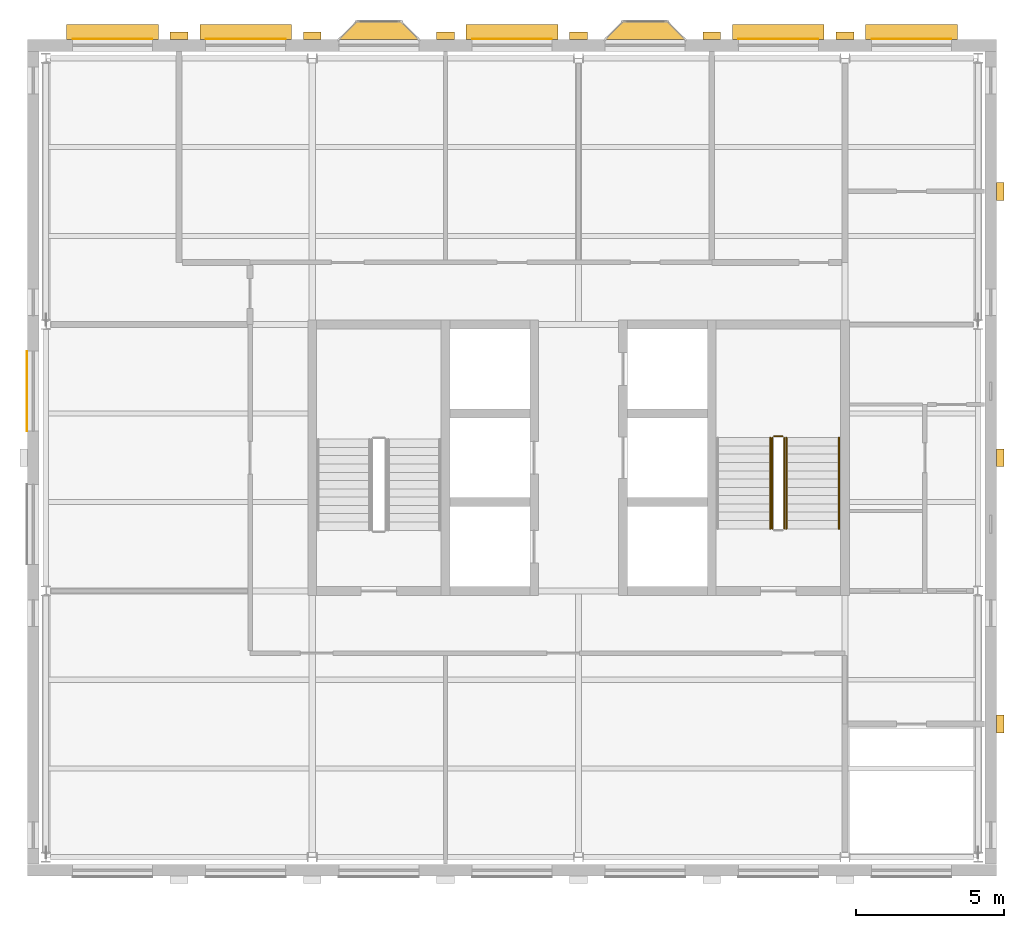
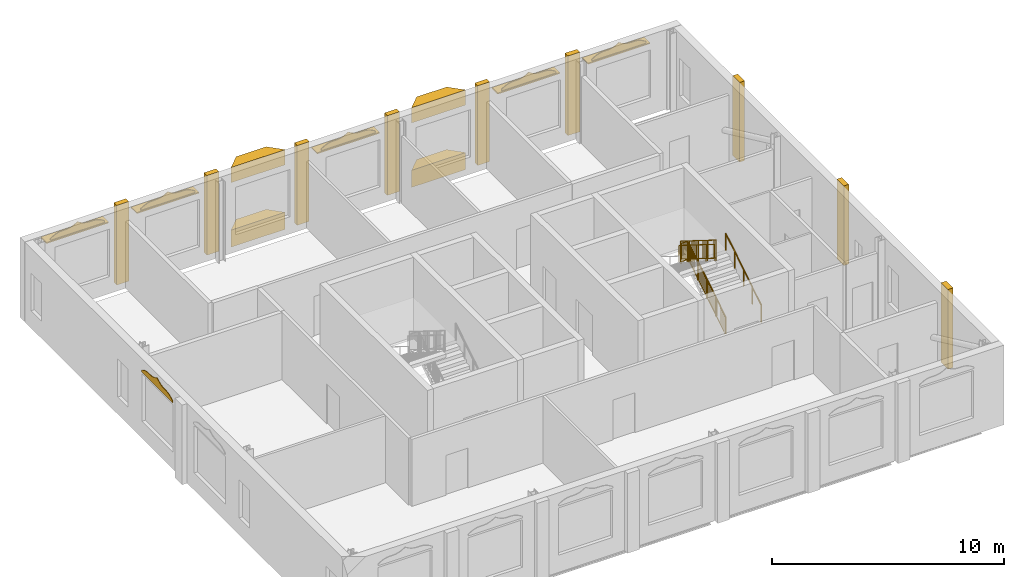
# One storey, part 9 of 9: 19 coverings, 6 railings, 5 shading devices.
"""IFC4 building model written with IfcOpenShell, lengths in metres."""

import ifcopenshell
import ifcopenshell.guid

model = None  # the IFC model being written
_history = None  # IfcOwnerHistory: only IFC2X3 demands one
_inside = {}  # id of a spatial element -> (the spatial element, [elements in it])
_under = {}  # id of a project, library or spatial element -> (it, [spatial elements below it])
_declared = {}  # id of a project -> (the project, [libraries it declares])
_typed = {}  # id of a type object -> (the type object, [elements of that type])
_made_of = {}  # id of a material, layer set ... -> (it, [elements and type objects made of it])


def new_model(schema):
    """Start an empty IFC model of exactly this schema.

    Asked for "IFC4X3", IfcOpenShell would pick the latest addendum, in which some entities
    have other attributes; the version numbers below select the first issue.
    IFC2X3 requires an IfcOwnerHistory on every rooted entity: one is made here for all.
    """
    global model, _history
    if schema == "IFC4X3":
        model = ifcopenshell.file(schema_version=(4, 3, 0, 0))
    else:
        model = ifcopenshell.file(schema=schema)
    _inside.clear()
    _under.clear()
    _declared.clear()
    _typed.clear()
    _made_of.clear()
    _history = None
    if model.schema == "IFC2X3":
        org = make("IfcOrganization", Name="unknown")
        user = make(
            "IfcPersonAndOrganization",
            ThePerson=make("IfcPerson", FamilyName="unknown"),
            TheOrganization=org,
        )
        app = make(
            "IfcApplication",
            ApplicationDeveloper=org,
            Version="unknown",
            ApplicationFullName="unknown",
            ApplicationIdentifier="unknown",
        )
        _history = make(
            "IfcOwnerHistory",
            OwningUser=user,
            OwningApplication=app,
            ChangeAction="ADDED",
            CreationDate=0,
        )
    return model


def make(cls, **values):
    """One entity of the class cls with the attributes given. An attribute that is None is left unset."""
    return model.create_entity(
        cls, **{name: value for name, value in values.items() if value is not None}
    )


def rooted(cls, **values):
    """An entity with a GlobalId (a new one), such as an element, a storey or a relation."""
    return make(cls, GlobalId=ifcopenshell.guid.new(), OwnerHistory=_history, **values)


def si_unit(unit_type, name, prefix=None):
    """IfcSIUnit, for example si_unit("LENGTHUNIT", "METRE", prefix="MILLI")."""
    return make("IfcSIUnit", UnitType=unit_type, Prefix=prefix, Name=name)


def assignment(units):
    """IfcUnitAssignment: the units of a project."""
    return None if units is None else make("IfcUnitAssignment", Units=units)


def point(xyz):
    """IfcCartesianPoint."""
    return None if xyz is None else make("IfcCartesianPoint", Coordinates=xyz)


def direction(xyz):
    """IfcDirection."""
    return None if xyz is None else make("IfcDirection", DirectionRatios=xyz)


def frame(location, z_axis=None, x_axis=None):
    """IfcAxis2Placement3D, a coordinate frame: its origin and axes. An axis left out is left unset."""
    return make(
        "IfcAxis2Placement3D",
        Location=point(location),
        Axis=direction(z_axis),
        RefDirection=direction(x_axis),
    )


def frame_2d(location, x_axis=None):
    """IfcAxis2Placement2D, a coordinate frame in the plane: its origin and x axis."""
    return make(
        "IfcAxis2Placement2D", Location=point(location), RefDirection=direction(x_axis)
    )


def origin():
    """The frame at (0, 0, 0) with its axes left unset."""
    return frame((0.0, 0.0, 0.0))


def origin_2d():
    """The frame at (0, 0) in the plane with its x axis left unset."""
    return frame_2d((0.0, 0.0))


def place(relative_to, where):
    """IfcLocalPlacement: puts the frame where relative to a parent placement (None: the world)."""
    return make(
        "IfcLocalPlacement", PlacementRelTo=relative_to, RelativePlacement=where
    )


def context(
    kind, dimensions, precision=None, world=None, true_north=None, identifier=None
):
    """IfcGeometricRepresentationContext, for example the 3D "Model" context."""
    return make(
        "IfcGeometricRepresentationContext",
        ContextIdentifier=identifier,
        ContextType=kind,
        CoordinateSpaceDimension=dimensions,
        Precision=precision,
        WorldCoordinateSystem=world,
        TrueNorth=true_north,
    )


def subcontext(parent, identifier, kind, view, scale=None):
    """IfcGeometricRepresentationSubContext, for example "Body" below "Model"."""
    return make(
        "IfcGeometricRepresentationSubContext",
        ContextIdentifier=identifier,
        ContextType=kind,
        ParentContext=parent,
        TargetScale=scale,
        TargetView=view,
    )


def project(units=None, contexts=None):
    """IfcProject with its units and contexts."""
    return rooted(
        "IfcProject",
        Name="project",
        RepresentationContexts=contexts,
        UnitsInContext=assignment(units),
    )


def spatial(cls, under=None, at=None, **own):
    """A site, building, storey or space (cls), placed at a placement, below another one or the project."""
    s = rooted(cls, ObjectPlacement=at, **own)
    if under is not None:
        _under.setdefault(under.id(), (under, []))[1].append(s)
    return s


def polyline(points):
    """IfcPolyline through the points."""
    return make("IfcPolyline", Points=[point(p) for p in points])


def profile(cls, at=None, kind="AREA", **sizes):
    """A parametric profile (cls). Its sizes go by their IFC names, for example OverallWidth=200.0."""
    return make(cls, ProfileType=kind, Position=at, **sizes)


def rectangle(**sizes):
    """IfcRectangleProfileDef."""
    return profile("IfcRectangleProfileDef", **sizes)


def circle(**sizes):
    """IfcCircleProfileDef."""
    return profile("IfcCircleProfileDef", **sizes)


def outline(outer, holes=None, kind="AREA"):
    """IfcArbitraryClosedProfileDef: a profile drawn as a closed curve; with holes, ...WithVoids."""
    if holes is None:
        return make("IfcArbitraryClosedProfileDef", ProfileType=kind, OuterCurve=outer)
    return make(
        "IfcArbitraryProfileDefWithVoids",
        ProfileType=kind,
        OuterCurve=outer,
        InnerCurves=holes,
    )


def extrude(swept, where, along, depth):
    """IfcExtrudedAreaSolid: the profile swept, set in the frame where, extruded along a direction by depth."""
    return make(
        "IfcExtrudedAreaSolid",
        SweptArea=swept,
        Position=where,
        ExtrudedDirection=direction(along),
        Depth=depth,
    )


def shape(context_of_items, identifier, shape_type, items):
    """IfcShapeRepresentation: the items that make up one representation, for example the "Body"."""
    return make(
        "IfcShapeRepresentation",
        ContextOfItems=context_of_items,
        RepresentationIdentifier=identifier,
        RepresentationType=shape_type,
        Items=items,
    )


def material(Name=None, Category=None):
    """IfcMaterial."""
    return make("IfcMaterial", Name=Name, Category=Category)


def layer(
    of_material, thickness, ventilated=None, Name=None, Category=None, Priority=None
):
    """IfcMaterialLayer: one layer of a wall or slab, of a material (None: an air gap)."""
    return make(
        "IfcMaterialLayer",
        Material=of_material,
        LayerThickness=thickness,
        IsVentilated=ventilated,
        Name=Name,
        Category=Category,
        Priority=Priority,
    )


def layer_set(layers, Name=None):
    """IfcMaterialLayerSet."""
    return make("IfcMaterialLayerSet", MaterialLayers=layers, LayerSetName=Name)


def made_of(thing, what):
    """Note that an element or type object is made of a material, layer set ...; save() writes the relation."""
    if what is not None:
        _made_of.setdefault(what.id(), (what, []))[1].append(thing)
    return thing


def type_object(cls, material=None, **own):
    """A type object (cls), such as IfcWallType, which elements share."""
    return made_of(rooted(cls, **own), material)


def element(
    cls,
    number,
    at=None,
    inside=None,
    cuts=None,
    type_object=None,
    material=None,
    context=None,
    identifier="Body",
    shape_type=None,
    held_by="IfcProductDefinitionShape",
    body=None,
    shapes=None,
    **own,
):
    """One element of the class cls, such as IfcWall. Its Tag is "e" and its number.

    at: its placement. inside: the storey or other place that contains it. cuts: it is an
    opening in that element (IfcRelVoidsElement). A single representation is given by context,
    identifier, shape_type and body (its items); several are given by shapes. held_by: the class
    of the entity that holds the representations. save() writes the other relations.
    """
    e = rooted(cls, Tag="e%d" % number, ObjectPlacement=at, **own)
    if body is not None:
        shapes = [shape(context, identifier, shape_type, body)]
    if shapes is not None:
        e.Representation = make(held_by, Representations=shapes)
    if inside is not None:
        _inside.setdefault(inside.id(), (inside, []))[1].append(e)
    if cuts is not None:
        rooted(
            "IfcRelVoidsElement", RelatingBuildingElement=cuts, RelatedOpeningElement=e
        )
    if type_object is not None:
        _typed.setdefault(type_object.id(), (type_object, []))[1].append(e)
    return made_of(e, material)


def aggregate(whole, parts):
    """IfcRelAggregates: a whole, such as a stair, and the parts it consists of."""
    return rooted("IfcRelAggregates", RelatingObject=whole, RelatedObjects=parts)


def save(model, path):
    """Write the relations noted so far, then the file.

    IfcRelAggregates (storeys below a building ...), IfcRelContainedInSpatialStructure (elements
    in a storey), IfcRelDefinesByType, IfcRelAssociatesMaterial and IfcRelDeclares: one each for
    every whole, place, type object, material and project.
    """
    for whole, parts in _under.values():
        aggregate(whole, parts)
    for where, things in _inside.values():
        rooted(
            "IfcRelContainedInSpatialStructure",
            RelatedElements=things,
            RelatingStructure=where,
        )
    for kind, things in _typed.values():
        rooted("IfcRelDefinesByType", RelatedObjects=things, RelatingType=kind)
    for what, things in _made_of.values():
        rooted("IfcRelAssociatesMaterial", RelatedObjects=things, RelatingMaterial=what)
    for by, libraries in _declared.values():
        rooted("IfcRelDeclares", RelatingContext=by, RelatedDefinitions=libraries)
    model.write(path)


model = new_model("IFC4")

# Units and contexts
model_context = context("Model", 3, precision=1e-05, world=origin(), true_north=direction((0.0, 1.0)))
body_context = subcontext(model_context, "Body", "Model", "MODEL_VIEW")
ifc_project = project(units=[si_unit("LENGTHUNIT", "METRE"), si_unit("AREAUNIT", "SQUARE_METRE"), si_unit("VOLUMEUNIT", "CUBIC_METRE"), si_unit("PLANEANGLEUNIT", "RADIAN"), si_unit("MASSUNIT", "GRAM", prefix="KILO")], contexts=[model_context])

# Site, building, storey
site_placement = place(None, origin())
site = spatial("IfcSite", under=ifc_project, at=site_placement, CompositionType="ELEMENT")
building_placement = place(site_placement, origin())
building = spatial("IfcBuilding", under=site, at=building_placement, Name="Hortulan Conservatory and Botanical Research Centre", CompositionType="ELEMENT")
storey_placement = place(building_placement, frame((0.0, 0.0, 36.0)))
storey = spatial("IfcBuildingStorey", under=building, at=storey_placement, Name="L08", CompositionType="ELEMENT", Elevation=36.0)

# Shading devices
ifc_material_1 = material(Name="Bronze-finished perforated aluminium", Category="aluminium")
ifc_layer_1 = layer(ifc_material_1, 0.06005859375)
ifc_layer_set_1 = layer_set([ifc_layer_1], Name="Catenary Hood 3100x500x60")
shading_device_type = type_object("IfcShadingDeviceType", Name="Catenary Hood 3100x500x60", PredefinedType="USERDEFINED", material=ifc_layer_set_1)
for number, where, z_axis, x_axis, name in (
    (1, (2.25, 27.885986328125, 3.409912109375), (0.0, 0.0, 1.0), (1.0, 0.0, 0.0), "Catenary hood"),
    (2, (6.75, 27.885986328125, 3.409912109375), (0.0, 0.0, 1.0), (1.0, 0.0, 0.0), "Catenary hood"),
    (3, (15.75, 27.885986328125, 3.409912109375), (0.0, 0.0, 1.0), (1.0, 0.0, 0.0), "Catenary hood"),
    (4, (24.75, 27.885986328125, 3.409912109375), (0.0, 0.0, 1.0), (1.0, 0.0, 0.0), "Catenary hood"),
    (5, (29.25, 27.885986328125, 3.409912109375), (0.0, 0.0, 1.0), (1.0, 0.0, 0.0), "Catenary hood"),
):
    element("IfcShadingDevice", number, at=place(storey_placement, frame(where, z_axis=z_axis, x_axis=x_axis)), inside=storey, type_object=shading_device_type, Name=name, ObjectType="Catenary hood", PredefinedType="USERDEFINED", context=body_context, shape_type="SweptSolid", body=[
        extrude(rectangle(XDim=3.10009765625, YDim=0.5, at=origin_2d()), origin(), (0.0, 0.0, 1.0), 0.06005859375),
    ])

# Coverings
ifc_material_2 = material(Name="Faience cladding, cream glaze (non-combustible)", Category="ceramic")
ifc_layer_2 = layer(ifc_material_2, 0.030029296875)
ifc_layer_set_2 = layer_set([ifc_layer_2], Name="Faience Ogee Head Panel Cream 2700x500")
covering_type_1 = type_object("IfcCoveringType", Name="Faience Ogee Head Panel Cream 2700x500", PredefinedType="CLADDING", material=ifc_layer_set_2)
for number, where, z_axis, x_axis, name in (
    (6, (0.89990234375, 27.65087890625, 3.52001953125), (0.0, 0.0, 1.0), (1.0, 0.0, 0.0), "Ogee head panel"),
    (7, (23.39990234375, 27.65087890625, 3.52001953125), (0.0, 0.0, 1.0), (1.0, 0.0, 0.0), "Ogee head panel"),
    (8, (27.89990234375, 27.65087890625, 3.52001953125), (0.0, 0.0, 1.0), (1.0, 0.0, 0.0), "Ogee head panel"),
):
    element("IfcCovering", number, at=place(storey_placement, frame(where, z_axis=z_axis, x_axis=x_axis)), inside=storey, type_object=covering_type_1, Name=name, PredefinedType="CLADDING", context=body_context, shape_type="SweptSolid", body=[
        extrude(outline(polyline([(0.0, 0.0), (2.699951171875, 0.0), (2.699951171875, 0.080078125), (2.58740234375, 0.148681640625), (2.47509765625, 0.208251953125), (2.362548828125, 0.252197265625), (2.25, 0.278076171875), (2.137451171875, 0.28857421875), (2.02490234375, 0.2900390625), (1.91259765625, 0.291259765625), (1.800048828125, 0.3017578125), (1.6875, 0.327880859375), (1.574951171875, 0.371826171875), (1.46240234375, 0.431396484375), (1.35009765625, 0.5), (1.237548828125, 0.431396484375), (1.125, 0.371826171875), (1.012451171875, 0.327880859375), (0.89990234375, 0.3017578125), (0.78759765625, 0.291259765625), (0.675048828125, 0.2900390625), (0.5625, 0.28857421875), (0.449951171875, 0.278076171875), (0.33740234375, 0.252197265625), (0.22509765625, 0.208251953125), (0.112548828125, 0.148681640625), (0.0, 0.080078125), (0.0, 0.0)])), frame((0.0, 0.01513671875, 0.0), z_axis=(0.0, -1.0, 0.0), x_axis=(1.0, 0.0, 0.0)), (0.0, 0.0, 1.0), 0.030029296875),
    ])
ifc_material_3 = material(Name="Faience cladding, waratah crimson glaze (non-combustible)", Category="ceramic")
ifc_layer_3 = layer(ifc_material_3, 0.030029296875)
ifc_layer_set_3 = layer_set([ifc_layer_3], Name="Faience Ogee Head Panel Crimson 2700x500")
covering_type_2 = type_object("IfcCoveringType", Name="Faience Ogee Head Panel Crimson 2700x500", PredefinedType="CLADDING", material=ifc_layer_set_3)
covering_1_placement = place(storey_placement, frame((5.39990234375, 27.65087890625, 3.52001953125), z_axis=(0.0, 0.0, 1.0), x_axis=(1.0, 0.0, 0.0)))
element("IfcCovering", 9, at=covering_1_placement, inside=storey, type_object=covering_type_2, Name="Ogee head panel", PredefinedType="CLADDING", context=body_context, shape_type="SweptSolid", body=[
    extrude(outline(polyline([(0.0, 0.0), (2.699951171875, 0.0), (2.699951171875, 0.080078125), (2.58740234375, 0.148681640625), (2.47509765625, 0.208251953125), (2.362548828125, 0.252197265625), (2.25, 0.278076171875), (2.137451171875, 0.28857421875), (2.02490234375, 0.2900390625), (1.91259765625, 0.291259765625), (1.800048828125, 0.3017578125), (1.6875, 0.327880859375), (1.574951171875, 0.371826171875), (1.46240234375, 0.431396484375), (1.35009765625, 0.5), (1.237548828125, 0.431396484375), (1.125, 0.371826171875), (1.012451171875, 0.327880859375), (0.89990234375, 0.3017578125), (0.78759765625, 0.291259765625), (0.675048828125, 0.2900390625), (0.5625, 0.28857421875), (0.449951171875, 0.278076171875), (0.33740234375, 0.252197265625), (0.22509765625, 0.208251953125), (0.112548828125, 0.148681640625), (0.0, 0.080078125), (0.0, 0.0)])), frame((0.0, 0.01513671875, 0.0), z_axis=(0.0, -1.0, 0.0), x_axis=(1.0, 0.0, 0.0)), (0.0, 0.0, 1.0), 0.030029296875),
])
ifc_material_4 = material(Name="Faience cladding, harbour teal glaze (non-combustible)", Category="ceramic")
ifc_layer_4 = layer(ifc_material_4, 0.030029296875)
ifc_layer_set_4 = layer_set([ifc_layer_4], Name="Faience Ogee Head Panel Teal 2700x500")
covering_type_3 = type_object("IfcCoveringType", Name="Faience Ogee Head Panel Teal 2700x500", PredefinedType="CLADDING", material=ifc_layer_set_4)
for number, where, z_axis, x_axis, name in (
    (10, (-0.639892578125, 14.39990234375, 3.52001953125), (0.0, 0.0, 1.0), (0.0, 1.0, 0.0), "Ogee head panel"),
    (11, (14.39990234375, 27.65087890625, 3.52001953125), (0.0, 0.0, 1.0), (1.0, 0.0, 0.0), "Ogee head panel"),
):
    element("IfcCovering", number, at=place(storey_placement, frame(where, z_axis=z_axis, x_axis=x_axis)), inside=storey, type_object=covering_type_3, Name=name, PredefinedType="CLADDING", context=body_context, shape_type="SweptSolid", body=[
        extrude(outline(polyline([(0.0, 0.0), (2.699951171875, 0.0), (2.699951171875, 0.080078125), (2.58740234375, 0.148681640625), (2.47509765625, 0.208251953125), (2.362548828125, 0.252197265625), (2.25, 0.278076171875), (2.137451171875, 0.28857421875), (2.02490234375, 0.2900390625), (1.91259765625, 0.291259765625), (1.800048828125, 0.3017578125), (1.6875, 0.327880859375), (1.574951171875, 0.371826171875), (1.46240234375, 0.431396484375), (1.35009765625, 0.5), (1.237548828125, 0.431396484375), (1.125, 0.371826171875), (1.012451171875, 0.327880859375), (0.89990234375, 0.3017578125), (0.78759765625, 0.291259765625), (0.675048828125, 0.2900390625), (0.5625, 0.28857421875), (0.449951171875, 0.278076171875), (0.33740234375, 0.252197265625), (0.22509765625, 0.208251953125), (0.112548828125, 0.148681640625), (0.0, 0.080078125), (0.0, 0.0)])), frame((0.0, 0.01513671875, 0.0), z_axis=(0.0, -1.0, 0.0), x_axis=(1.0, 0.0, 0.0)), (0.0, 0.0, 1.0), 0.030029296875),
    ])
ifc_material_5 = material(Name="Faience-faced brickwork masonry", Category="masonry")
covering_type_4 = type_object("IfcCoveringType", Name="Faience Oriel Base", PredefinedType="CLADDING", material=ifc_material_5)
covering_2_placement = place(storey_placement, origin())
element("IfcCovering", 12, at=covering_2_placement, inside=storey, type_object=covering_type_4, Name="Oriel base", PredefinedType="CLADDING", context=body_context, shape_type="SweptSolid", body=[
    extrude(outline(polyline([(9.89990234375, 27.635986328125), (10.5, 28.236083984375), (12.0, 28.236083984375), (12.60009765625, 27.635986328125), (9.89990234375, 27.635986328125)])), origin(), (0.0, 0.0, 1.0), 0.89990234375),
])
covering_3_placement = place(storey_placement, origin())
element("IfcCovering", 13, at=covering_3_placement, inside=storey, type_object=covering_type_4, Name="Oriel base", PredefinedType="CLADDING", context=body_context, shape_type="SweptSolid", body=[
    extrude(outline(polyline([(18.89990234375, 27.635986328125), (19.5, 28.236083984375), (21.0, 28.236083984375), (21.60009765625, 27.635986328125), (18.89990234375, 27.635986328125)])), origin(), (0.0, 0.0, 1.0), 0.89990234375),
])
covering_type_5 = type_object("IfcCoveringType", Name="Faience Oriel Frieze", PredefinedType="CLADDING", material=ifc_material_5)
covering_4_placement = place(storey_placement, frame((0.0, 0.0, 3.39990234375)))
element("IfcCovering", 14, at=covering_4_placement, inside=storey, type_object=covering_type_5, Name="Oriel frieze", PredefinedType="CLADDING", context=body_context, shape_type="SweptSolid", body=[
    extrude(outline(polyline([(9.89990234375, 27.635986328125), (10.5, 28.236083984375), (12.0, 28.236083984375), (12.60009765625, 27.635986328125), (9.89990234375, 27.635986328125)])), origin(), (0.0, 0.0, 1.0), 0.800048828125),
])
covering_5_placement = place(storey_placement, frame((0.0, 0.0, 3.39990234375)))
element("IfcCovering", 15, at=covering_5_placement, inside=storey, type_object=covering_type_5, Name="Oriel frieze", PredefinedType="CLADDING", context=body_context, shape_type="SweptSolid", body=[
    extrude(outline(polyline([(18.89990234375, 27.635986328125), (19.5, 28.236083984375), (21.0, 28.236083984375), (21.60009765625, 27.635986328125), (18.89990234375, 27.635986328125)])), origin(), (0.0, 0.0, 1.0), 0.800048828125),
])
ifc_layer_5 = layer(ifc_material_2, 0.25)
ifc_layer_set_5 = layer_set([ifc_layer_5], Name="Faience Pilaster 600x250")
covering_type_6 = type_object("IfcCoveringType", Name="Faience Pilaster 600x250", PredefinedType="CLADDING", material=ifc_layer_set_5)
for number, where, z_axis, x_axis, name in (
    (16, (4.5, 27.760986328125, 0.0), (0.0, 0.0, 1.0), (1.0, 0.0, 0.0), "Pier"),
    (17, (9.0, 27.760986328125, 0.0), (0.0, 0.0, 1.0), (1.0, 0.0, 0.0), "Pier"),
    (18, (13.5, 27.760986328125, 0.0), (0.0, 0.0, 1.0), (1.0, 0.0, 0.0), "Pier"),
    (19, (18.0, 27.760986328125, 0.0), (0.0, 0.0, 1.0), (1.0, 0.0, 0.0), "Pier"),
    (20, (22.5, 27.760986328125, 0.0), (0.0, 0.0, 1.0), (1.0, 0.0, 0.0), "Pier"),
    (21, (27.0, 27.760986328125, 0.0), (0.0, 0.0, 1.0), (1.0, 0.0, 0.0), "Pier"),
    (22, (32.25, 4.5, 0.0), (0.0, 0.0, 1.0), (0.0, 1.0, 0.0), "Pier"),
    (23, (32.25, 13.5, 0.0), (0.0, 0.0, 1.0), (0.0, 1.0, 0.0), "Pier"),
    (24, (32.25, 22.5, 0.0), (0.0, 0.0, 1.0), (0.0, 1.0, 0.0), "Pier"),
):
    element("IfcCovering", number, at=place(storey_placement, frame(where, z_axis=z_axis, x_axis=x_axis)), inside=storey, type_object=covering_type_6, Name=name, PredefinedType="CLADDING", context=body_context, shape_type="SweptSolid", body=[
        extrude(rectangle(XDim=0.60009765625, YDim=0.25, at=origin_2d()), origin(), (0.0, 0.0, 1.0), 4.199951171875),
    ])

# Railings
ifc_material_6 = material(Name="Steel balustrade, bronze-charcoal paint", Category="steel")
railing_type_1 = type_object("IfcRailingType", Name="Stair Guard 1100", PredefinedType="GUARDRAIL", material=ifc_material_6)
railing_1_placement = place(storey_placement, frame((24.949951171875, 11.10009765625, 0.175048828125)))
element("IfcRailing", 25, at=railing_1_placement, inside=storey, type_object=railing_type_1, Name="Guard T2 L08 stair 1", PredefinedType="GUARDRAIL", context=body_context, shape_type="SweptSolid", body=[
    extrude(circle(Radius=0.02392578125, at=origin_2d()), frame((0.0, 0.0, 1.076171875), z_axis=(0.0, 0.847979421464, 0.530029150871), x_axis=(-1.0, 0.0, 0.0)), (0.0, 0.0, 1.0), 3.632080078125),
    extrude(circle(Radius=0.02392578125, at=origin_2d()), frame((0.0, 0.0, 0.1240234375), z_axis=(0.0, 0.847979421464, 0.530029150871), x_axis=(-1.0, 0.0, 0.0)), (0.0, 0.0, 1.0), 3.632080078125),
    extrude(circle(Radius=0.008056640625, at=origin_2d()), frame((0.0, 0.090576171875, 0.204833984375)), (0.0, 0.0, 1.0), 0.90380859375),
    extrude(circle(Radius=0.008056640625, at=origin_2d()), frame((0.0, 0.18115234375, 0.261474609375)), (0.0, 0.0, 1.0), 0.90380859375),
    extrude(circle(Radius=0.008056640625, at=origin_2d()), frame((0.0, 0.271728515625, 0.318115234375)), (0.0, 0.0, 1.0), 0.90380859375),
    extrude(circle(Radius=0.008056640625, at=origin_2d()), frame((0.0, 0.3623046875, 0.374755859375)), (0.0, 0.0, 1.0), 0.90380859375),
    extrude(circle(Radius=0.008056640625, at=origin_2d()), frame((0.0, 0.452880859375, 0.431396484375)), (0.0, 0.0, 1.0), 0.90380859375),
    extrude(circle(Radius=0.008056640625, at=origin_2d()), frame((0.0, 0.54345703125, 0.48779296875)), (0.0, 0.0, 1.0), 0.90380859375),
    extrude(circle(Radius=0.008056640625, at=origin_2d()), frame((0.0, 0.634033203125, 0.54443359375)), (0.0, 0.0, 1.0), 0.90380859375),
    extrude(circle(Radius=0.008056640625, at=origin_2d()), frame((0.0, 0.724609375, 0.60107421875)), (0.0, 0.0, 1.0), 0.90380859375),
    extrude(circle(Radius=0.008056640625, at=origin_2d()), frame((0.0, 0.815185546875, 0.65771484375)), (0.0, 0.0, 1.0), 0.90380859375),
    extrude(circle(Radius=0.008056640625, at=origin_2d()), frame((0.0, 0.90576171875, 0.71435546875)), (0.0, 0.0, 1.0), 0.90380859375),
    extrude(circle(Radius=0.008056640625, at=origin_2d()), frame((0.0, 0.996337890625, 0.77099609375)), (0.0, 0.0, 1.0), 0.90380859375),
    extrude(circle(Radius=0.008056640625, at=origin_2d()), frame((0.0, 1.0869140625, 0.82763671875)), (0.0, 0.0, 1.0), 0.90380859375),
    extrude(circle(Radius=0.008056640625, at=origin_2d()), frame((0.0, 1.177490234375, 0.88427734375)), (0.0, 0.0, 1.0), 0.90380859375),
    extrude(circle(Radius=0.008056640625, at=origin_2d()), frame((0.0, 1.26806640625, 0.94091796875)), (0.0, 0.0, 1.0), 0.90380859375),
    extrude(circle(Radius=0.008056640625, at=origin_2d()), frame((0.0, 1.358642578125, 0.99755859375)), (0.0, 0.0, 1.0), 0.90380859375),
    extrude(circle(Radius=0.008056640625, at=origin_2d()), frame((0.0, 1.44921875, 1.05419921875)), (0.0, 0.0, 1.0), 0.90380859375),
    extrude(circle(Radius=0.008056640625, at=origin_2d()), frame((0.0, 1.5400390625, 1.11083984375)), (0.0, 0.0, 1.0), 0.90380859375),
    extrude(circle(Radius=0.008056640625, at=origin_2d()), frame((0.0, 1.630615234375, 1.167236328125)), (0.0, 0.0, 1.0), 0.90380859375),
    extrude(circle(Radius=0.008056640625, at=origin_2d()), frame((0.0, 1.72119140625, 1.223876953125)), (0.0, 0.0, 1.0), 0.90380859375),
    extrude(circle(Radius=0.008056640625, at=origin_2d()), frame((0.0, 1.811767578125, 1.280517578125)), (0.0, 0.0, 1.0), 0.90380859375),
    extrude(circle(Radius=0.008056640625, at=origin_2d()), frame((0.0, 1.90234375, 1.337158203125)), (0.0, 0.0, 1.0), 0.90380859375),
    extrude(circle(Radius=0.008056640625, at=origin_2d()), frame((0.0, 1.992919921875, 1.393798828125)), (0.0, 0.0, 1.0), 0.90380859375),
    extrude(circle(Radius=0.008056640625, at=origin_2d()), frame((0.0, 2.08349609375, 1.450439453125)), (0.0, 0.0, 1.0), 0.90380859375),
    extrude(circle(Radius=0.008056640625, at=origin_2d()), frame((0.0, 2.174072265625, 1.507080078125)), (0.0, 0.0, 1.0), 0.90380859375),
    extrude(circle(Radius=0.008056640625, at=origin_2d()), frame((0.0, 2.2646484375, 1.563720703125)), (0.0, 0.0, 1.0), 0.90380859375),
    extrude(circle(Radius=0.008056640625, at=origin_2d()), frame((0.0, 2.355224609375, 1.620361328125)), (0.0, 0.0, 1.0), 0.90380859375),
    extrude(circle(Radius=0.008056640625, at=origin_2d()), frame((0.0, 2.44580078125, 1.677001953125)), (0.0, 0.0, 1.0), 0.90380859375),
    extrude(circle(Radius=0.008056640625, at=origin_2d()), frame((0.0, 2.536376953125, 1.733642578125)), (0.0, 0.0, 1.0), 0.90380859375),
    extrude(circle(Radius=0.008056640625, at=origin_2d()), frame((0.0, 2.626953125, 1.7900390625)), (0.0, 0.0, 1.0), 0.90380859375),
    extrude(circle(Radius=0.008056640625, at=origin_2d()), frame((0.0, 2.717529296875, 1.8466796875)), (0.0, 0.0, 1.0), 0.90380859375),
    extrude(circle(Radius=0.008056640625, at=origin_2d()), frame((0.0, 2.80810546875, 1.9033203125)), (0.0, 0.0, 1.0), 0.90380859375),
    extrude(circle(Radius=0.008056640625, at=origin_2d()), frame((0.0, 2.898681640625, 1.9599609375)), (0.0, 0.0, 1.0), 0.90380859375),
    extrude(circle(Radius=0.008056640625, at=origin_2d()), frame((0.0, 2.9892578125, 2.0166015625)), (0.0, 0.0, 1.0), 0.90380859375),
    extrude(circle(Radius=0.02099609375, at=origin_2d()), origin(), (0.0, 0.0, 1.0), 1.052001953125),
    extrude(circle(Radius=0.02099609375, at=origin_2d()), frame((0.0, 0.77001953125, 0.481201171875)), (0.0, 0.0, 1.0), 1.052001953125),
    extrude(circle(Radius=0.02099609375, at=origin_2d()), frame((0.0, 1.5400390625, 0.96240234375)), (0.0, 0.0, 1.0), 1.052001953125),
    extrude(circle(Radius=0.02099609375, at=origin_2d()), frame((0.0, 2.309814453125, 1.44384765625)), (0.0, 0.0, 1.0), 1.052001953125),
    extrude(circle(Radius=0.02099609375, at=origin_2d()), frame((0.0, 3.079833984375, 1.925048828125)), (0.0, 0.0, 1.0), 1.052001953125),
])
railing_2_placement = place(storey_placement, frame((24.89990234375, 14.22998046875, 2.10009765625)))
element("IfcRailing", 26, at=railing_2_placement, inside=storey, type_object=railing_type_1, Name="Guard T2 L08 stair 2", PredefinedType="GUARDRAIL", context=body_context, shape_type="SweptSolid", body=[
    extrude(circle(Radius=0.02392578125, at=origin_2d()), frame((0.0, 0.0, 1.076171875), z_axis=(-1.0, 0.0, 0.0), x_axis=(0.0, -1.0, 0.0)), (0.0, 0.0, 1.0), 0.2998046875),
    extrude(circle(Radius=0.02392578125, at=origin_2d()), frame((0.0, 0.0, 0.1240234375), z_axis=(-1.0, 0.0, 0.0), x_axis=(0.0, -1.0, 0.0)), (0.0, 0.0, 1.0), 0.2998046875),
    extrude(circle(Radius=0.008056640625, at=origin_2d()), frame((-0.099853515625, 0.0, 0.148193359375)), (0.0, 0.0, 1.0), 0.90380859375),
    extrude(circle(Radius=0.008056640625, at=origin_2d()), frame((-0.199951171875, 0.0, 0.148193359375)), (0.0, 0.0, 1.0), 0.90380859375),
    extrude(circle(Radius=0.02099609375, at=origin_2d()), origin(), (0.0, 0.0, 1.0), 1.052001953125),
    extrude(circle(Radius=0.02099609375, at=origin_2d()), frame((-0.2998046875, 0.0, 0.0)), (0.0, 0.0, 1.0), 1.052001953125),
])
railing_3_placement = place(storey_placement, frame((24.550048828125, 14.179931640625, 2.27490234375)))
element("IfcRailing", 27, at=railing_3_placement, inside=storey, type_object=railing_type_1, Name="Guard T2 L08 stair 3", PredefinedType="GUARDRAIL", context=body_context, shape_type="SweptSolid", body=[
    extrude(circle(Radius=0.02392578125, at=origin_2d()), frame((0.0, 0.0, 1.076171875), z_axis=(0.0, -0.847979421464, 0.530029150871), x_axis=(1.0, 0.0, 0.0)), (0.0, 0.0, 1.0), 3.632080078125),
    extrude(circle(Radius=0.02392578125, at=origin_2d()), frame((0.0, 0.0, 0.1240234375), z_axis=(0.0, -0.847979421464, 0.530029150871), x_axis=(1.0, 0.0, 0.0)), (0.0, 0.0, 1.0), 3.632080078125),
    extrude(circle(Radius=0.008056640625, at=origin_2d()), frame((0.0, -0.090576171875, 0.204833984375)), (0.0, 0.0, 1.0), 0.90380859375),
    extrude(circle(Radius=0.008056640625, at=origin_2d()), frame((0.0, -0.18115234375, 0.261474609375)), (0.0, 0.0, 1.0), 0.90380859375),
    extrude(circle(Radius=0.008056640625, at=origin_2d()), frame((0.0, -0.271728515625, 0.318115234375)), (0.0, 0.0, 1.0), 0.90380859375),
    extrude(circle(Radius=0.008056640625, at=origin_2d()), frame((0.0, -0.3623046875, 0.374755859375)), (0.0, 0.0, 1.0), 0.90380859375),
    extrude(circle(Radius=0.008056640625, at=origin_2d()), frame((0.0, -0.452880859375, 0.431396484375)), (0.0, 0.0, 1.0), 0.90380859375),
    extrude(circle(Radius=0.008056640625, at=origin_2d()), frame((0.0, -0.54345703125, 0.48779296875)), (0.0, 0.0, 1.0), 0.90380859375),
    extrude(circle(Radius=0.008056640625, at=origin_2d()), frame((0.0, -0.634033203125, 0.54443359375)), (0.0, 0.0, 1.0), 0.90380859375),
    extrude(circle(Radius=0.008056640625, at=origin_2d()), frame((0.0, -0.724609375, 0.60107421875)), (0.0, 0.0, 1.0), 0.90380859375),
    extrude(circle(Radius=0.008056640625, at=origin_2d()), frame((0.0, -0.815185546875, 0.65771484375)), (0.0, 0.0, 1.0), 0.90380859375),
    extrude(circle(Radius=0.008056640625, at=origin_2d()), frame((0.0, -0.90576171875, 0.71435546875)), (0.0, 0.0, 1.0), 0.90380859375),
    extrude(circle(Radius=0.008056640625, at=origin_2d()), frame((0.0, -0.996337890625, 0.77099609375)), (0.0, 0.0, 1.0), 0.90380859375),
    extrude(circle(Radius=0.008056640625, at=origin_2d()), frame((0.0, -1.0869140625, 0.82763671875)), (0.0, 0.0, 1.0), 0.90380859375),
    extrude(circle(Radius=0.008056640625, at=origin_2d()), frame((0.0, -1.177490234375, 0.88427734375)), (0.0, 0.0, 1.0), 0.90380859375),
    extrude(circle(Radius=0.008056640625, at=origin_2d()), frame((0.0, -1.26806640625, 0.94091796875)), (0.0, 0.0, 1.0), 0.90380859375),
    extrude(circle(Radius=0.008056640625, at=origin_2d()), frame((0.0, -1.358642578125, 0.99755859375)), (0.0, 0.0, 1.0), 0.90380859375),
    extrude(circle(Radius=0.008056640625, at=origin_2d()), frame((0.0, -1.44921875, 1.05419921875)), (0.0, 0.0, 1.0), 0.90380859375),
    extrude(circle(Radius=0.008056640625, at=origin_2d()), frame((0.0, -1.5400390625, 1.11083984375)), (0.0, 0.0, 1.0), 0.90380859375),
    extrude(circle(Radius=0.008056640625, at=origin_2d()), frame((0.0, -1.630615234375, 1.167236328125)), (0.0, 0.0, 1.0), 0.90380859375),
    extrude(circle(Radius=0.008056640625, at=origin_2d()), frame((0.0, -1.72119140625, 1.223876953125)), (0.0, 0.0, 1.0), 0.90380859375),
    extrude(circle(Radius=0.008056640625, at=origin_2d()), frame((0.0, -1.811767578125, 1.280517578125)), (0.0, 0.0, 1.0), 0.90380859375),
    extrude(circle(Radius=0.008056640625, at=origin_2d()), frame((0.0, -1.90234375, 1.337158203125)), (0.0, 0.0, 1.0), 0.90380859375),
    extrude(circle(Radius=0.008056640625, at=origin_2d()), frame((0.0, -1.992919921875, 1.393798828125)), (0.0, 0.0, 1.0), 0.90380859375),
    extrude(circle(Radius=0.008056640625, at=origin_2d()), frame((0.0, -2.08349609375, 1.450439453125)), (0.0, 0.0, 1.0), 0.90380859375),
    extrude(circle(Radius=0.008056640625, at=origin_2d()), frame((0.0, -2.174072265625, 1.507080078125)), (0.0, 0.0, 1.0), 0.90380859375),
    extrude(circle(Radius=0.008056640625, at=origin_2d()), frame((0.0, -2.2646484375, 1.563720703125)), (0.0, 0.0, 1.0), 0.90380859375),
    extrude(circle(Radius=0.008056640625, at=origin_2d()), frame((0.0, -2.355224609375, 1.620361328125)), (0.0, 0.0, 1.0), 0.90380859375),
    extrude(circle(Radius=0.008056640625, at=origin_2d()), frame((0.0, -2.44580078125, 1.677001953125)), (0.0, 0.0, 1.0), 0.90380859375),
    extrude(circle(Radius=0.008056640625, at=origin_2d()), frame((0.0, -2.536376953125, 1.733642578125)), (0.0, 0.0, 1.0), 0.90380859375),
    extrude(circle(Radius=0.008056640625, at=origin_2d()), frame((0.0, -2.626953125, 1.7900390625)), (0.0, 0.0, 1.0), 0.90380859375),
    extrude(circle(Radius=0.008056640625, at=origin_2d()), frame((0.0, -2.717529296875, 1.8466796875)), (0.0, 0.0, 1.0), 0.90380859375),
    extrude(circle(Radius=0.008056640625, at=origin_2d()), frame((0.0, -2.80810546875, 1.9033203125)), (0.0, 0.0, 1.0), 0.90380859375),
    extrude(circle(Radius=0.008056640625, at=origin_2d()), frame((0.0, -2.898681640625, 1.9599609375)), (0.0, 0.0, 1.0), 0.90380859375),
    extrude(circle(Radius=0.008056640625, at=origin_2d()), frame((0.0, -2.9892578125, 2.0166015625)), (0.0, 0.0, 1.0), 0.90380859375),
    extrude(circle(Radius=0.02099609375, at=origin_2d()), origin(), (0.0, 0.0, 1.0), 1.052001953125),
    extrude(circle(Radius=0.02099609375, at=origin_2d()), frame((0.0, -0.77001953125, 0.481201171875)), (0.0, 0.0, 1.0), 1.052001953125),
    extrude(circle(Radius=0.02099609375, at=origin_2d()), frame((0.0, -1.5400390625, 0.96240234375)), (0.0, 0.0, 1.0), 1.052001953125),
    extrude(circle(Radius=0.02099609375, at=origin_2d()), frame((0.0, -2.309814453125, 1.44384765625)), (0.0, 0.0, 1.0), 1.052001953125),
    extrude(circle(Radius=0.02099609375, at=origin_2d()), frame((0.0, -3.079833984375, 1.925048828125)), (0.0, 0.0, 1.0), 1.052001953125),
])
ifc_material_7 = material(Name="Bronze handrail, polished", Category="metal")
railing_type_2 = type_object("IfcRailingType", Name="Stair Handrail 900", PredefinedType="HANDRAIL", material=ifc_material_7)
for number, where, name in (
    (28, (26.800048828125, 11.10009765625, 0.175048828125), "Handrail T2 L08 stair 1"),
    (29, (25.02001953125, 11.10009765625, 0.175048828125), "Handrail T2 L08 stair 3"),
):
    element("IfcRailing", number, at=place(storey_placement, frame(where)), inside=storey, type_object=railing_type_2, Name=name, PredefinedType="HANDRAIL", context=body_context, shape_type="SweptSolid", body=[
        extrude(circle(Radius=0.02392578125, at=origin_2d()), frame((0.0, 0.0, 0.8759765625), z_axis=(0.0, 0.847979421464, 0.530029150871), x_axis=(-1.0, 0.0, 0.0)), (0.0, 0.0, 1.0), 3.632080078125),
        extrude(circle(Radius=0.02099609375, at=origin_2d()), origin(), (0.0, 0.0, 1.0), 0.851806640625),
        extrude(circle(Radius=0.02099609375, at=origin_2d()), frame((0.0, 0.77001953125, 0.481201171875)), (0.0, 0.0, 1.0), 0.851806640625),
        extrude(circle(Radius=0.02099609375, at=origin_2d()), frame((0.0, 1.5400390625, 0.96240234375)), (0.0, 0.0, 1.0), 0.851806640625),
        extrude(circle(Radius=0.02099609375, at=origin_2d()), frame((0.0, 2.309814453125, 1.44384765625)), (0.0, 0.0, 1.0), 0.851806640625),
        extrude(circle(Radius=0.02099609375, at=origin_2d()), frame((0.0, 3.079833984375, 1.925048828125)), (0.0, 0.0, 1.0), 0.851806640625),
    ])
railing_4_placement = place(storey_placement, frame((24.47998046875, 14.179931640625, 2.27490234375)))
element("IfcRailing", 30, at=railing_4_placement, inside=storey, type_object=railing_type_2, Name="Handrail T2 L08 stair 4", PredefinedType="HANDRAIL", context=body_context, shape_type="SweptSolid", body=[
    extrude(circle(Radius=0.02392578125, at=origin_2d()), frame((0.0, 0.0, 0.8759765625), z_axis=(0.0, -0.847979421464, 0.530029150871), x_axis=(1.0, 0.0, 0.0)), (0.0, 0.0, 1.0), 3.632080078125),
    extrude(circle(Radius=0.02099609375, at=origin_2d()), origin(), (0.0, 0.0, 1.0), 0.851806640625),
    extrude(circle(Radius=0.02099609375, at=origin_2d()), frame((0.0, -0.77001953125, 0.481201171875)), (0.0, 0.0, 1.0), 0.851806640625),
    extrude(circle(Radius=0.02099609375, at=origin_2d()), frame((0.0, -1.5400390625, 0.96240234375)), (0.0, 0.0, 1.0), 0.851806640625),
    extrude(circle(Radius=0.02099609375, at=origin_2d()), frame((0.0, -2.309814453125, 1.44384765625)), (0.0, 0.0, 1.0), 0.851806640625),
    extrude(circle(Radius=0.02099609375, at=origin_2d()), frame((0.0, -3.079833984375, 1.925048828125)), (0.0, 0.0, 1.0), 0.851806640625),
])

save(model, "model.ifc")
